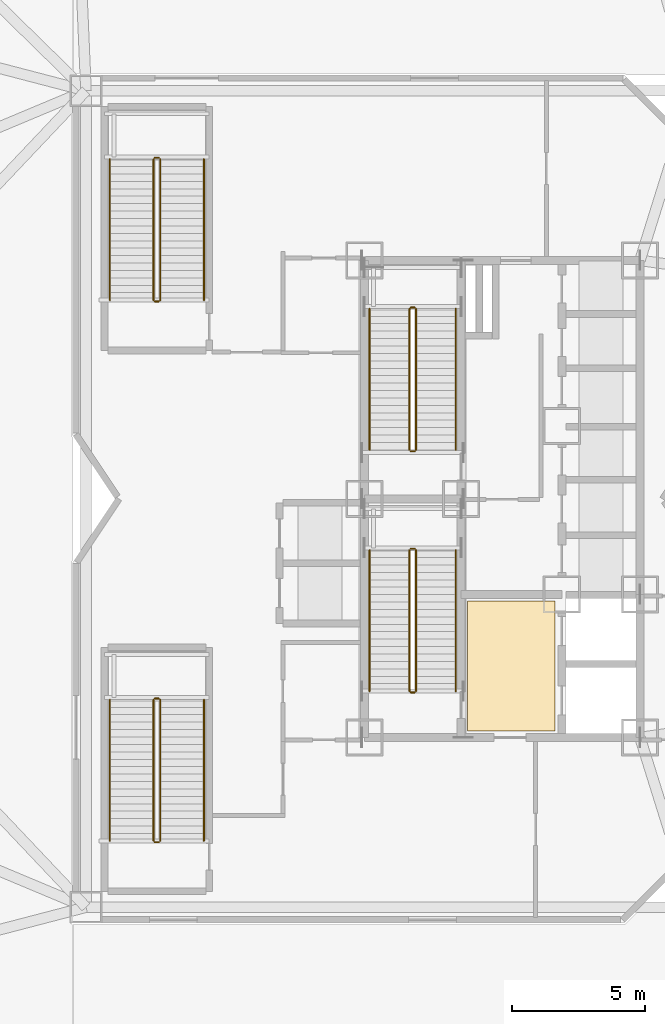
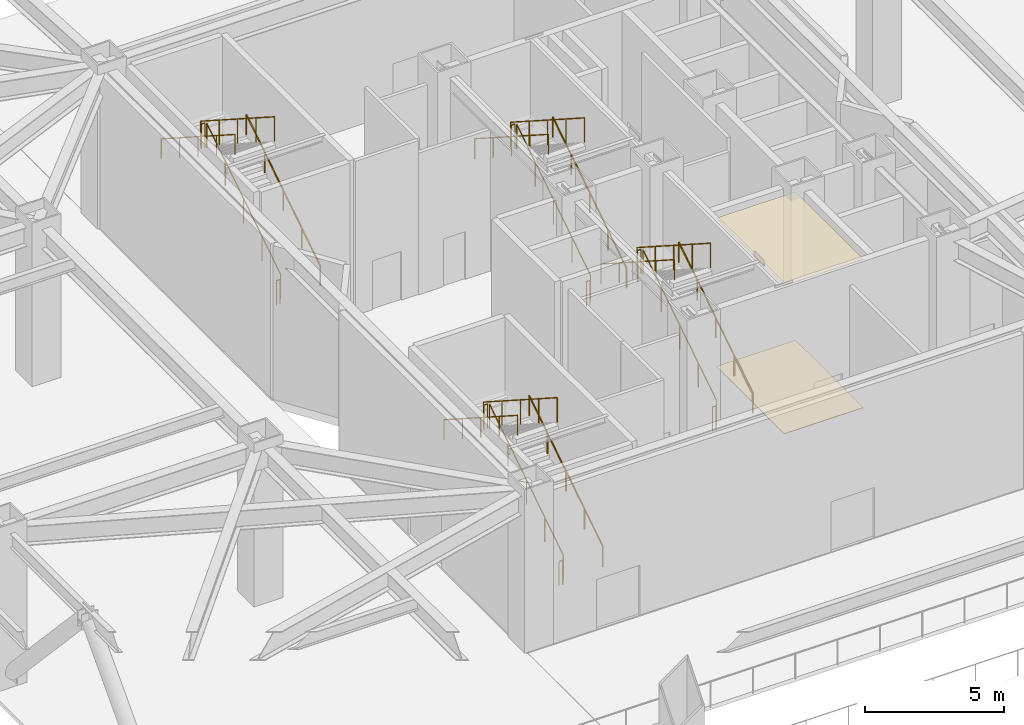
# One storey, part 13 of 14: 24 railings, 2 coverings.
"""IFC4 building model written with IfcOpenShell, lengths in metres."""

from ifc_helpers import new_model, si_unit, direction, frame, origin, origin_2d, place, context, subcontext, project, spatial, polyline, circle, outline, extrude, material, layer, layer_set, type_object, element, save


model = new_model("IFC4")

# Units and contexts
model_context = context("Model", 3, precision=1e-05, world=origin(), true_north=direction((0.0, 1.0)))
body_context = subcontext(model_context, "Body", "Model", "MODEL_VIEW")
ifc_project = project(units=[si_unit("LENGTHUNIT", "METRE"), si_unit("AREAUNIT", "SQUARE_METRE"), si_unit("VOLUMEUNIT", "CUBIC_METRE"), si_unit("PLANEANGLEUNIT", "RADIAN"), si_unit("MASSUNIT", "GRAM", prefix="KILO")], contexts=[model_context])

# Site, building, storey
site_placement = place(None, origin())
site = spatial("IfcSite", under=ifc_project, at=site_placement, CompositionType="ELEMENT")
building_placement = place(site_placement, origin())
building = spatial("IfcBuilding", under=site, at=building_placement, Name="Khamvora Tower", CompositionType="ELEMENT")
storey_placement = place(building_placement, origin())
storey = spatial("IfcBuildingStorey", under=building, at=storey_placement, Name="L00", CompositionType="ELEMENT", Elevation=0.0)

# Coverings
ifc_material_1 = material(Name="Perforated Mineral-Fibre Acoustic Ceiling Tile", Category="gypsum")
ifc_layer_1 = layer(ifc_material_1, 0.02490234375)
ifc_layer_set_1 = layer_set([ifc_layer_1], Name="Perforated Mineral-Fibre Acoustic Ceiling Tile")
covering_type_1 = type_object("IfcCoveringType", Name="COV-CEIL-600", PredefinedType="CEILING", material=ifc_layer_set_1)
covering_1_placement = place(storey_placement, frame((0.0, 0.0, 6.530029296875)))
element("IfcCovering", 1, at=covering_1_placement, inside=storey, type_object=covering_type_1, Name="L00 core lobby suspended acoustic ceiling", PredefinedType="CEILING", context=body_context, shape_type="SweptSolid", body=[
    extrude(outline(polyline([(32.89990234375, 19.25), (36.199951171875, 19.25), (36.199951171875, 24.14990234375), (32.89990234375, 24.14990234375), (32.89990234375, 19.25)])), origin(), (0.0, 0.0, 1.0), 0.02490234375),
])
ifc_material_2 = material(Name="Honed Terrazzo Stone Tile", Category="masonry")
ifc_layer_2 = layer(ifc_material_2, 0.02001953125)
ifc_layer_set_2 = layer_set([ifc_layer_2], Name="Honed Terrazzo Stone Tile")
covering_type_2 = type_object("IfcCoveringType", Name="COV-FLOR-20", PredefinedType="FLOORING", material=ifc_layer_set_2)
covering_2_placement = place(storey_placement, origin())
element("IfcCovering", 2, at=covering_2_placement, inside=storey, type_object=covering_type_2, Name="L00 lift lobby terrazzo flooring", PredefinedType="FLOORING", context=body_context, shape_type="SweptSolid", body=[
    extrude(outline(polyline([(32.89990234375, 19.25), (36.199951171875, 19.25), (36.199951171875, 24.14990234375), (32.89990234375, 24.14990234375), (32.89990234375, 19.25)])), origin(), (0.0, 0.0, 1.0), 0.02001953125),
])

# Railings
ifc_material_3 = material(Name="Brushed Stainless Steel 316", Category="steel")
railing_type_1 = type_object("IfcRailingType", Name="RAL-HDR-920", PredefinedType="HANDRAIL", material=ifc_material_3)
railing_1_placement = place(storey_placement, frame((32.449951171875, 20.75, 0.179931640625)))
element("IfcRailing", 3, at=railing_1_placement, inside=storey, type_object=railing_type_1, Name="L00 ST-01 stair handrail 1", PredefinedType="HANDRAIL", context=body_context, shape_type="SweptSolid", body=[
    extrude(circle(Radius=0.02392578125, at=origin_2d()), frame((0.0, 0.0, 0.8759765625), z_axis=(0.0, 0.841169695817, 0.540771248162), x_axis=(-1.0, 0.0, 0.0)), (0.0, 0.0, 1.0), 6.32470703125),
    extrude(circle(Radius=0.02099609375, at=origin_2d()), origin(), (0.0, 0.0, 1.0), 0.851806640625),
    extrude(circle(Radius=0.02099609375, at=origin_2d()), frame((0.0, 1.330078125, 0.85498046875)), (0.0, 0.0, 1.0), 0.851806640625),
    extrude(circle(Radius=0.02099609375, at=origin_2d()), frame((0.0, 2.66015625, 1.7099609375)), (0.0, 0.0, 1.0), 0.851806640625),
    extrude(circle(Radius=0.02099609375, at=origin_2d()), frame((0.0, 3.989990234375, 2.565185546875)), (0.0, 0.0, 1.0), 0.851806640625),
    extrude(circle(Radius=0.02099609375, at=origin_2d()), frame((0.0, 5.320068359375, 3.420166015625)), (0.0, 0.0, 1.0), 0.851806640625),
])
railing_2_placement = place(storey_placement, frame((29.199951171875, 26.070068359375, 3.780029296875)))
element("IfcRailing", 4, at=railing_2_placement, inside=storey, type_object=railing_type_1, Name="L00 ST-01 stair handrail 2", PredefinedType="HANDRAIL", context=body_context, shape_type="SweptSolid", body=[
    extrude(circle(Radius=0.02392578125, at=origin_2d()), frame((0.0, 0.0, 0.8759765625), z_axis=(0.0, -0.841187254898, 0.540743934037), x_axis=(1.0, 0.0, 0.0)), (0.0, 0.0, 1.0), 6.324462890625),
    extrude(circle(Radius=0.02099609375, at=origin_2d()), origin(), (0.0, 0.0, 1.0), 0.851806640625),
    extrude(circle(Radius=0.02099609375, at=origin_2d()), frame((0.0, -1.330078125, 0.85498046875)), (0.0, 0.0, 1.0), 0.851806640625),
    extrude(circle(Radius=0.02099609375, at=origin_2d()), frame((0.0, -2.66015625, 1.7099609375)), (0.0, 0.0, 1.0), 0.851806640625),
    extrude(circle(Radius=0.02099609375, at=origin_2d()), frame((0.0, -3.989990234375, 2.56494140625)), (0.0, 0.0, 1.0), 0.851806640625),
    extrude(circle(Radius=0.02099609375, at=origin_2d()), frame((0.0, -5.320068359375, 3.419921875)), (0.0, 0.0, 1.0), 0.851806640625),
])
railing_3_placement = place(storey_placement, frame((32.449951171875, 29.85009765625, 0.179931640625)))
element("IfcRailing", 5, at=railing_3_placement, inside=storey, type_object=railing_type_1, Name="L00 ST-02 stair handrail 1", PredefinedType="HANDRAIL", context=body_context, shape_type="SweptSolid", body=[
    extrude(circle(Radius=0.02392578125, at=origin_2d()), frame((0.0, 0.0, 0.8759765625), z_axis=(0.0, 0.841158406835, 0.540788807772), x_axis=(-1.0, 0.0, 0.0)), (0.0, 0.0, 1.0), 6.324462890625),
    extrude(circle(Radius=0.02099609375, at=origin_2d()), origin(), (0.0, 0.0, 1.0), 0.851806640625),
    extrude(circle(Radius=0.02099609375, at=origin_2d()), frame((0.0, 1.330078125, 0.85498046875)), (0.0, 0.0, 1.0), 0.851806640625),
    extrude(circle(Radius=0.02099609375, at=origin_2d()), frame((0.0, 2.659912109375, 1.7099609375)), (0.0, 0.0, 1.0), 0.851806640625),
    extrude(circle(Radius=0.02099609375, at=origin_2d()), frame((0.0, 3.98974609375, 2.565185546875)), (0.0, 0.0, 1.0), 0.851806640625),
    extrude(circle(Radius=0.02099609375, at=origin_2d()), frame((0.0, 5.31982421875, 3.420166015625)), (0.0, 0.0, 1.0), 0.851806640625),
])
railing_4_placement = place(storey_placement, frame((29.199951171875, 35.169921875, 3.780029296875)))
element("IfcRailing", 6, at=railing_4_placement, inside=storey, type_object=railing_type_1, Name="L00 ST-02 stair handrail 2", PredefinedType="HANDRAIL", context=body_context, shape_type="SweptSolid", body=[
    extrude(circle(Radius=0.02392578125, at=origin_2d()), frame((0.0, 0.0, 0.8759765625), z_axis=(0.0, -0.84117596682, 0.540761493493), x_axis=(1.0, 0.0, 0.0)), (0.0, 0.0, 1.0), 6.32421875),
    extrude(circle(Radius=0.02099609375, at=origin_2d()), origin(), (0.0, 0.0, 1.0), 0.851806640625),
    extrude(circle(Radius=0.02099609375, at=origin_2d()), frame((0.0, -1.330078125, 0.85498046875)), (0.0, 0.0, 1.0), 0.851806640625),
    extrude(circle(Radius=0.02099609375, at=origin_2d()), frame((0.0, -2.659912109375, 1.7099609375)), (0.0, 0.0, 1.0), 0.851806640625),
    extrude(circle(Radius=0.02099609375, at=origin_2d()), frame((0.0, -3.98974609375, 2.56494140625)), (0.0, 0.0, 1.0), 0.851806640625),
    extrude(circle(Radius=0.02099609375, at=origin_2d()), frame((0.0, -5.31982421875, 3.419921875)), (0.0, 0.0, 1.0), 0.851806640625),
])
railing_5_placement = place(storey_placement, frame((22.949951171875, 15.10009765625, 0.179931640625)))
element("IfcRailing", 7, at=railing_5_placement, inside=storey, type_object=railing_type_1, Name="L00 ST-03 stair handrail 1", PredefinedType="HANDRAIL", context=body_context, shape_type="SweptSolid", body=[
    extrude(circle(Radius=0.02392578125, at=origin_2d()), frame((0.0, 0.0, 0.8759765625), z_axis=(0.0, 0.841158406835, 0.540788807772), x_axis=(-1.0, 0.0, 0.0)), (0.0, 0.0, 1.0), 6.324462890625),
    extrude(circle(Radius=0.02099609375, at=origin_2d()), origin(), (0.0, 0.0, 1.0), 0.851806640625),
    extrude(circle(Radius=0.02099609375, at=origin_2d()), frame((0.0, 1.330078125, 0.85498046875)), (0.0, 0.0, 1.0), 0.851806640625),
    extrude(circle(Radius=0.02099609375, at=origin_2d()), frame((0.0, 2.659912109375, 1.7099609375)), (0.0, 0.0, 1.0), 0.851806640625),
    extrude(circle(Radius=0.02099609375, at=origin_2d()), frame((0.0, 3.98974609375, 2.565185546875)), (0.0, 0.0, 1.0), 0.851806640625),
    extrude(circle(Radius=0.02099609375, at=origin_2d()), frame((0.0, 5.31982421875, 3.420166015625)), (0.0, 0.0, 1.0), 0.851806640625),
])
railing_6_placement = place(storey_placement, frame((19.39990234375, 20.419921875, 3.780029296875)))
element("IfcRailing", 8, at=railing_6_placement, inside=storey, type_object=railing_type_1, Name="L00 ST-03 stair handrail 2", PredefinedType="HANDRAIL", context=body_context, shape_type="SweptSolid", body=[
    extrude(circle(Radius=0.02392578125, at=origin_2d()), frame((0.0, 0.0, 0.8759765625), z_axis=(0.0, -0.84117596682, 0.540761493493), x_axis=(1.0, 0.0, 0.0)), (0.0, 0.0, 1.0), 6.32421875),
    extrude(circle(Radius=0.02099609375, at=origin_2d()), origin(), (0.0, 0.0, 1.0), 0.851806640625),
    extrude(circle(Radius=0.02099609375, at=origin_2d()), frame((0.0, -1.330078125, 0.85498046875)), (0.0, 0.0, 1.0), 0.851806640625),
    extrude(circle(Radius=0.02099609375, at=origin_2d()), frame((0.0, -2.659912109375, 1.7099609375)), (0.0, 0.0, 1.0), 0.851806640625),
    extrude(circle(Radius=0.02099609375, at=origin_2d()), frame((0.0, -3.98974609375, 2.56494140625)), (0.0, 0.0, 1.0), 0.851806640625),
    extrude(circle(Radius=0.02099609375, at=origin_2d()), frame((0.0, -5.31982421875, 3.419921875)), (0.0, 0.0, 1.0), 0.851806640625),
])
railing_7_placement = place(storey_placement, frame((22.949951171875, 35.5, 0.179931640625)))
element("IfcRailing", 9, at=railing_7_placement, inside=storey, type_object=railing_type_1, Name="L00 ST-04 stair handrail 1", PredefinedType="HANDRAIL", context=body_context, shape_type="SweptSolid", body=[
    extrude(circle(Radius=0.02392578125, at=origin_2d()), frame((0.0, 0.0, 0.8759765625), z_axis=(0.0, 0.841169695817, 0.540771248162), x_axis=(-1.0, 0.0, 0.0)), (0.0, 0.0, 1.0), 6.32470703125),
    extrude(circle(Radius=0.02099609375, at=origin_2d()), origin(), (0.0, 0.0, 1.0), 0.851806640625),
    extrude(circle(Radius=0.02099609375, at=origin_2d()), frame((0.0, 1.330078125, 0.85498046875)), (0.0, 0.0, 1.0), 0.851806640625),
    extrude(circle(Radius=0.02099609375, at=origin_2d()), frame((0.0, 2.66015625, 1.7099609375)), (0.0, 0.0, 1.0), 0.851806640625),
    extrude(circle(Radius=0.02099609375, at=origin_2d()), frame((0.0, 3.989990234375, 2.565185546875)), (0.0, 0.0, 1.0), 0.851806640625),
    extrude(circle(Radius=0.02099609375, at=origin_2d()), frame((0.0, 5.320068359375, 3.420166015625)), (0.0, 0.0, 1.0), 0.851806640625),
])
railing_8_placement = place(storey_placement, frame((19.39990234375, 40.820068359375, 3.780029296875)))
element("IfcRailing", 10, at=railing_8_placement, inside=storey, type_object=railing_type_1, Name="L00 ST-04 stair handrail 2", PredefinedType="HANDRAIL", context=body_context, shape_type="SweptSolid", body=[
    extrude(circle(Radius=0.02392578125, at=origin_2d()), frame((0.0, 0.0, 0.8759765625), z_axis=(0.0, -0.841187254898, 0.540743934037), x_axis=(1.0, 0.0, 0.0)), (0.0, 0.0, 1.0), 6.324462890625),
    extrude(circle(Radius=0.02099609375, at=origin_2d()), origin(), (0.0, 0.0, 1.0), 0.851806640625),
    extrude(circle(Radius=0.02099609375, at=origin_2d()), frame((0.0, -1.330078125, 0.85498046875)), (0.0, 0.0, 1.0), 0.851806640625),
    extrude(circle(Radius=0.02099609375, at=origin_2d()), frame((0.0, -2.66015625, 1.7099609375)), (0.0, 0.0, 1.0), 0.851806640625),
    extrude(circle(Radius=0.02099609375, at=origin_2d()), frame((0.0, -3.989990234375, 2.56494140625)), (0.0, 0.0, 1.0), 0.851806640625),
    extrude(circle(Radius=0.02099609375, at=origin_2d()), frame((0.0, -5.320068359375, 3.419921875)), (0.0, 0.0, 1.0), 0.851806640625),
])
ifc_material_4 = material(Name="Stainless Steel 316", Category="steel")
railing_type_2 = type_object("IfcRailingType", Name="RAL-STG-1100", PredefinedType="GUARDRAIL", material=ifc_material_4)
railing_9_placement = place(storey_placement, frame((30.949951171875, 20.75, 0.179931640625)))
element("IfcRailing", 11, at=railing_9_placement, inside=storey, type_object=railing_type_2, Name="L00 ST-01 stair guard 1", PredefinedType="GUARDRAIL", context=body_context, shape_type="SweptSolid", body=[
    extrude(circle(Radius=0.02392578125, at=origin_2d()), frame((0.0, 0.0, 1.076171875), z_axis=(0.0, 0.841169695817, 0.540771248162), x_axis=(-1.0, 0.0, 0.0)), (0.0, 0.0, 1.0), 6.32470703125),
    extrude(circle(Radius=0.02099609375, at=origin_2d()), origin(), (0.0, 0.0, 1.0), 1.052001953125),
    extrude(circle(Radius=0.02099609375, at=origin_2d()), frame((0.0, 1.330078125, 0.85498046875)), (0.0, 0.0, 1.0), 1.052001953125),
    extrude(circle(Radius=0.02099609375, at=origin_2d()), frame((0.0, 2.66015625, 1.7099609375)), (0.0, 0.0, 1.0), 1.052001953125),
    extrude(circle(Radius=0.02099609375, at=origin_2d()), frame((0.0, 3.989990234375, 2.565185546875)), (0.0, 0.0, 1.0), 1.052001953125),
    extrude(circle(Radius=0.02099609375, at=origin_2d()), frame((0.0, 5.320068359375, 3.420166015625)), (0.0, 0.0, 1.0), 1.052001953125),
])
railing_10_placement = place(storey_placement, frame((30.89990234375, 26.1201171875, 3.60009765625)))
element("IfcRailing", 12, at=railing_10_placement, inside=storey, type_object=railing_type_2, Name="L00 ST-01 stair guard 2", PredefinedType="GUARDRAIL", context=body_context, shape_type="SweptSolid", body=[
    extrude(circle(Radius=0.02392578125, at=origin_2d()), frame((0.0, 0.0, 1.076171875), z_axis=(-1.0, 0.0, 0.0), x_axis=(0.0, -1.0, 0.0)), (0.0, 0.0, 1.0), 0.14990234375),
    extrude(circle(Radius=0.02099609375, at=origin_2d()), origin(), (0.0, 0.0, 1.0), 1.052001953125),
    extrude(circle(Radius=0.02099609375, at=origin_2d()), frame((-0.14990234375, 0.0, 0.0)), (0.0, 0.0, 1.0), 1.052001953125),
])
railing_11_placement = place(storey_placement, frame((30.699951171875, 26.070068359375, 3.780029296875)))
element("IfcRailing", 13, at=railing_11_placement, inside=storey, type_object=railing_type_2, Name="L00 ST-01 stair guard 3", PredefinedType="GUARDRAIL", context=body_context, shape_type="SweptSolid", body=[
    extrude(circle(Radius=0.02392578125, at=origin_2d()), frame((0.0, 0.0, 1.076171875), z_axis=(0.0, -0.841187254898, 0.540743934037), x_axis=(1.0, 0.0, 0.0)), (0.0, 0.0, 1.0), 6.324462890625),
    extrude(circle(Radius=0.02099609375, at=origin_2d()), origin(), (0.0, 0.0, 1.0), 1.052001953125),
    extrude(circle(Radius=0.02099609375, at=origin_2d()), frame((0.0, -1.330078125, 0.85498046875)), (0.0, 0.0, 1.0), 1.052001953125),
    extrude(circle(Radius=0.02099609375, at=origin_2d()), frame((0.0, -2.66015625, 1.7099609375)), (0.0, 0.0, 1.0), 1.052001953125),
    extrude(circle(Radius=0.02099609375, at=origin_2d()), frame((0.0, -3.989990234375, 2.56494140625)), (0.0, 0.0, 1.0), 1.052001953125),
    extrude(circle(Radius=0.02099609375, at=origin_2d()), frame((0.0, -5.320068359375, 3.419921875)), (0.0, 0.0, 1.0), 1.052001953125),
])
railing_12_placement = place(storey_placement, frame((30.89990234375, 20.699951171875, 0.0)))
element("IfcRailing", 14, at=railing_12_placement, inside=storey, type_object=railing_type_2, Name="L00 ST-01 stair guard 4", PredefinedType="GUARDRAIL", context=body_context, shape_type="SweptSolid", body=[
    extrude(circle(Radius=0.02392578125, at=origin_2d()), frame((0.0, 0.0, 1.076171875), z_axis=(-1.0, 0.0, 0.0), x_axis=(0.0, -1.0, 0.0)), (0.0, 0.0, 1.0), 0.14990234375),
    extrude(circle(Radius=0.02099609375, at=origin_2d()), origin(), (0.0, 0.0, 1.0), 1.052001953125),
    extrude(circle(Radius=0.02099609375, at=origin_2d()), frame((-0.14990234375, 0.0, 0.0)), (0.0, 0.0, 1.0), 1.052001953125),
])
railing_13_placement = place(storey_placement, frame((30.949951171875, 29.85009765625, 0.179931640625)))
element("IfcRailing", 15, at=railing_13_placement, inside=storey, type_object=railing_type_2, Name="L00 ST-02 stair guard 1", PredefinedType="GUARDRAIL", context=body_context, shape_type="SweptSolid", body=[
    extrude(circle(Radius=0.02392578125, at=origin_2d()), frame((0.0, 0.0, 1.076171875), z_axis=(0.0, 0.841158406835, 0.540788807772), x_axis=(-1.0, 0.0, 0.0)), (0.0, 0.0, 1.0), 6.324462890625),
    extrude(circle(Radius=0.02099609375, at=origin_2d()), origin(), (0.0, 0.0, 1.0), 1.052001953125),
    extrude(circle(Radius=0.02099609375, at=origin_2d()), frame((0.0, 1.330078125, 0.85498046875)), (0.0, 0.0, 1.0), 1.052001953125),
    extrude(circle(Radius=0.02099609375, at=origin_2d()), frame((0.0, 2.659912109375, 1.7099609375)), (0.0, 0.0, 1.0), 1.052001953125),
    extrude(circle(Radius=0.02099609375, at=origin_2d()), frame((0.0, 3.98974609375, 2.565185546875)), (0.0, 0.0, 1.0), 1.052001953125),
    extrude(circle(Radius=0.02099609375, at=origin_2d()), frame((0.0, 5.31982421875, 3.420166015625)), (0.0, 0.0, 1.0), 1.052001953125),
])
railing_14_placement = place(storey_placement, frame((30.89990234375, 35.219970703125, 3.60009765625)))
element("IfcRailing", 16, at=railing_14_placement, inside=storey, type_object=railing_type_2, Name="L00 ST-02 stair guard 2", PredefinedType="GUARDRAIL", context=body_context, shape_type="SweptSolid", body=[
    extrude(circle(Radius=0.02392578125, at=origin_2d()), frame((0.0, 0.0, 1.076171875), z_axis=(-1.0, 0.0, 0.0), x_axis=(0.0, -1.0, 0.0)), (0.0, 0.0, 1.0), 0.14990234375),
    extrude(circle(Radius=0.02099609375, at=origin_2d()), origin(), (0.0, 0.0, 1.0), 1.052001953125),
    extrude(circle(Radius=0.02099609375, at=origin_2d()), frame((-0.14990234375, 0.0, 0.0)), (0.0, 0.0, 1.0), 1.052001953125),
])
railing_15_placement = place(storey_placement, frame((30.699951171875, 35.169921875, 3.780029296875)))
element("IfcRailing", 17, at=railing_15_placement, inside=storey, type_object=railing_type_2, Name="L00 ST-02 stair guard 3", PredefinedType="GUARDRAIL", context=body_context, shape_type="SweptSolid", body=[
    extrude(circle(Radius=0.02392578125, at=origin_2d()), frame((0.0, 0.0, 1.076171875), z_axis=(0.0, -0.84117596682, 0.540761493493), x_axis=(1.0, 0.0, 0.0)), (0.0, 0.0, 1.0), 6.32421875),
    extrude(circle(Radius=0.02099609375, at=origin_2d()), origin(), (0.0, 0.0, 1.0), 1.052001953125),
    extrude(circle(Radius=0.02099609375, at=origin_2d()), frame((0.0, -1.330078125, 0.85498046875)), (0.0, 0.0, 1.0), 1.052001953125),
    extrude(circle(Radius=0.02099609375, at=origin_2d()), frame((0.0, -2.659912109375, 1.7099609375)), (0.0, 0.0, 1.0), 1.052001953125),
    extrude(circle(Radius=0.02099609375, at=origin_2d()), frame((0.0, -3.98974609375, 2.56494140625)), (0.0, 0.0, 1.0), 1.052001953125),
    extrude(circle(Radius=0.02099609375, at=origin_2d()), frame((0.0, -5.31982421875, 3.419921875)), (0.0, 0.0, 1.0), 1.052001953125),
])
railing_16_placement = place(storey_placement, frame((30.89990234375, 29.800048828125, 0.0)))
element("IfcRailing", 18, at=railing_16_placement, inside=storey, type_object=railing_type_2, Name="L00 ST-02 stair guard 4", PredefinedType="GUARDRAIL", context=body_context, shape_type="SweptSolid", body=[
    extrude(circle(Radius=0.02392578125, at=origin_2d()), frame((0.0, 0.0, 1.076171875), z_axis=(-1.0, 0.0, 0.0), x_axis=(0.0, -1.0, 0.0)), (0.0, 0.0, 1.0), 0.14990234375),
    extrude(circle(Radius=0.02099609375, at=origin_2d()), origin(), (0.0, 0.0, 1.0), 1.052001953125),
    extrude(circle(Radius=0.02099609375, at=origin_2d()), frame((-0.14990234375, 0.0, 0.0)), (0.0, 0.0, 1.0), 1.052001953125),
])
railing_17_placement = place(storey_placement, frame((21.300048828125, 15.10009765625, 0.179931640625)))
element("IfcRailing", 19, at=railing_17_placement, inside=storey, type_object=railing_type_2, Name="L00 ST-03 stair guard 1", PredefinedType="GUARDRAIL", context=body_context, shape_type="SweptSolid", body=[
    extrude(circle(Radius=0.02392578125, at=origin_2d()), frame((0.0, 0.0, 1.076171875), z_axis=(0.0, 0.841158406835, 0.540788807772), x_axis=(-1.0, 0.0, 0.0)), (0.0, 0.0, 1.0), 6.324462890625),
    extrude(circle(Radius=0.02099609375, at=origin_2d()), origin(), (0.0, 0.0, 1.0), 1.052001953125),
    extrude(circle(Radius=0.02099609375, at=origin_2d()), frame((0.0, 1.330078125, 0.85498046875)), (0.0, 0.0, 1.0), 1.052001953125),
    extrude(circle(Radius=0.02099609375, at=origin_2d()), frame((0.0, 2.659912109375, 1.7099609375)), (0.0, 0.0, 1.0), 1.052001953125),
    extrude(circle(Radius=0.02099609375, at=origin_2d()), frame((0.0, 3.98974609375, 2.565185546875)), (0.0, 0.0, 1.0), 1.052001953125),
    extrude(circle(Radius=0.02099609375, at=origin_2d()), frame((0.0, 5.31982421875, 3.420166015625)), (0.0, 0.0, 1.0), 1.052001953125),
])
railing_18_placement = place(storey_placement, frame((21.25, 20.469970703125, 3.60009765625)))
element("IfcRailing", 20, at=railing_18_placement, inside=storey, type_object=railing_type_2, Name="L00 ST-03 stair guard 2", PredefinedType="GUARDRAIL", context=body_context, shape_type="SweptSolid", body=[
    extrude(circle(Radius=0.02392578125, at=origin_2d()), frame((0.0, 0.0, 1.076171875), z_axis=(-1.0, 0.0, 0.0), x_axis=(0.0, -1.0, 0.0)), (0.0, 0.0, 1.0), 0.14990234375),
    extrude(circle(Radius=0.02099609375, at=origin_2d()), origin(), (0.0, 0.0, 1.0), 1.052001953125),
    extrude(circle(Radius=0.02099609375, at=origin_2d()), frame((-0.14990234375, 0.0, 0.0)), (0.0, 0.0, 1.0), 1.052001953125),
])
railing_19_placement = place(storey_placement, frame((21.050048828125, 20.419921875, 3.780029296875)))
element("IfcRailing", 21, at=railing_19_placement, inside=storey, type_object=railing_type_2, Name="L00 ST-03 stair guard 3", PredefinedType="GUARDRAIL", context=body_context, shape_type="SweptSolid", body=[
    extrude(circle(Radius=0.02392578125, at=origin_2d()), frame((0.0, 0.0, 1.076171875), z_axis=(0.0, -0.84117596682, 0.540761493493), x_axis=(1.0, 0.0, 0.0)), (0.0, 0.0, 1.0), 6.32421875),
    extrude(circle(Radius=0.02099609375, at=origin_2d()), origin(), (0.0, 0.0, 1.0), 1.052001953125),
    extrude(circle(Radius=0.02099609375, at=origin_2d()), frame((0.0, -1.330078125, 0.85498046875)), (0.0, 0.0, 1.0), 1.052001953125),
    extrude(circle(Radius=0.02099609375, at=origin_2d()), frame((0.0, -2.659912109375, 1.7099609375)), (0.0, 0.0, 1.0), 1.052001953125),
    extrude(circle(Radius=0.02099609375, at=origin_2d()), frame((0.0, -3.98974609375, 2.56494140625)), (0.0, 0.0, 1.0), 1.052001953125),
    extrude(circle(Radius=0.02099609375, at=origin_2d()), frame((0.0, -5.31982421875, 3.419921875)), (0.0, 0.0, 1.0), 1.052001953125),
])
railing_20_placement = place(storey_placement, frame((21.25, 15.050048828125, 0.0)))
element("IfcRailing", 22, at=railing_20_placement, inside=storey, type_object=railing_type_2, Name="L00 ST-03 stair guard 4", PredefinedType="GUARDRAIL", context=body_context, shape_type="SweptSolid", body=[
    extrude(circle(Radius=0.02392578125, at=origin_2d()), frame((0.0, 0.0, 1.076171875), z_axis=(-1.0, 0.0, 0.0), x_axis=(0.0, -1.0, 0.0)), (0.0, 0.0, 1.0), 0.14990234375),
    extrude(circle(Radius=0.02099609375, at=origin_2d()), origin(), (0.0, 0.0, 1.0), 1.052001953125),
    extrude(circle(Radius=0.02099609375, at=origin_2d()), frame((-0.14990234375, 0.0, 0.0)), (0.0, 0.0, 1.0), 1.052001953125),
])
railing_21_placement = place(storey_placement, frame((21.300048828125, 35.5, 0.179931640625)))
element("IfcRailing", 23, at=railing_21_placement, inside=storey, type_object=railing_type_2, Name="L00 ST-04 stair guard 1", PredefinedType="GUARDRAIL", context=body_context, shape_type="SweptSolid", body=[
    extrude(circle(Radius=0.02392578125, at=origin_2d()), frame((0.0, 0.0, 1.076171875), z_axis=(0.0, 0.841169695817, 0.540771248162), x_axis=(-1.0, 0.0, 0.0)), (0.0, 0.0, 1.0), 6.32470703125),
    extrude(circle(Radius=0.02099609375, at=origin_2d()), origin(), (0.0, 0.0, 1.0), 1.052001953125),
    extrude(circle(Radius=0.02099609375, at=origin_2d()), frame((0.0, 1.330078125, 0.85498046875)), (0.0, 0.0, 1.0), 1.052001953125),
    extrude(circle(Radius=0.02099609375, at=origin_2d()), frame((0.0, 2.66015625, 1.7099609375)), (0.0, 0.0, 1.0), 1.052001953125),
    extrude(circle(Radius=0.02099609375, at=origin_2d()), frame((0.0, 3.989990234375, 2.565185546875)), (0.0, 0.0, 1.0), 1.052001953125),
    extrude(circle(Radius=0.02099609375, at=origin_2d()), frame((0.0, 5.320068359375, 3.420166015625)), (0.0, 0.0, 1.0), 1.052001953125),
])
railing_22_placement = place(storey_placement, frame((21.25, 40.8701171875, 3.60009765625)))
element("IfcRailing", 24, at=railing_22_placement, inside=storey, type_object=railing_type_2, Name="L00 ST-04 stair guard 2", PredefinedType="GUARDRAIL", context=body_context, shape_type="SweptSolid", body=[
    extrude(circle(Radius=0.02392578125, at=origin_2d()), frame((0.0, 0.0, 1.076171875), z_axis=(-1.0, 0.0, 0.0), x_axis=(0.0, -1.0, 0.0)), (0.0, 0.0, 1.0), 0.14990234375),
    extrude(circle(Radius=0.02099609375, at=origin_2d()), origin(), (0.0, 0.0, 1.0), 1.052001953125),
    extrude(circle(Radius=0.02099609375, at=origin_2d()), frame((-0.14990234375, 0.0, 0.0)), (0.0, 0.0, 1.0), 1.052001953125),
])
railing_23_placement = place(storey_placement, frame((21.050048828125, 40.820068359375, 3.780029296875)))
element("IfcRailing", 25, at=railing_23_placement, inside=storey, type_object=railing_type_2, Name="L00 ST-04 stair guard 3", PredefinedType="GUARDRAIL", context=body_context, shape_type="SweptSolid", body=[
    extrude(circle(Radius=0.02392578125, at=origin_2d()), frame((0.0, 0.0, 1.076171875), z_axis=(0.0, -0.841187254898, 0.540743934037), x_axis=(1.0, 0.0, 0.0)), (0.0, 0.0, 1.0), 6.324462890625),
    extrude(circle(Radius=0.02099609375, at=origin_2d()), origin(), (0.0, 0.0, 1.0), 1.052001953125),
    extrude(circle(Radius=0.02099609375, at=origin_2d()), frame((0.0, -1.330078125, 0.85498046875)), (0.0, 0.0, 1.0), 1.052001953125),
    extrude(circle(Radius=0.02099609375, at=origin_2d()), frame((0.0, -2.66015625, 1.7099609375)), (0.0, 0.0, 1.0), 1.052001953125),
    extrude(circle(Radius=0.02099609375, at=origin_2d()), frame((0.0, -3.989990234375, 2.56494140625)), (0.0, 0.0, 1.0), 1.052001953125),
    extrude(circle(Radius=0.02099609375, at=origin_2d()), frame((0.0, -5.320068359375, 3.419921875)), (0.0, 0.0, 1.0), 1.052001953125),
])
railing_24_placement = place(storey_placement, frame((21.25, 35.449951171875, 0.0)))
element("IfcRailing", 26, at=railing_24_placement, inside=storey, type_object=railing_type_2, Name="L00 ST-04 stair guard 4", PredefinedType="GUARDRAIL", context=body_context, shape_type="SweptSolid", body=[
    extrude(circle(Radius=0.02392578125, at=origin_2d()), frame((0.0, 0.0, 1.076171875), z_axis=(-1.0, 0.0, 0.0), x_axis=(0.0, -1.0, 0.0)), (0.0, 0.0, 1.0), 0.14990234375),
    extrude(circle(Radius=0.02099609375, at=origin_2d()), origin(), (0.0, 0.0, 1.0), 1.052001953125),
    extrude(circle(Radius=0.02099609375, at=origin_2d()), frame((-0.14990234375, 0.0, 0.0)), (0.0, 0.0, 1.0), 1.052001953125),
])

save(model, "model.ifc")
